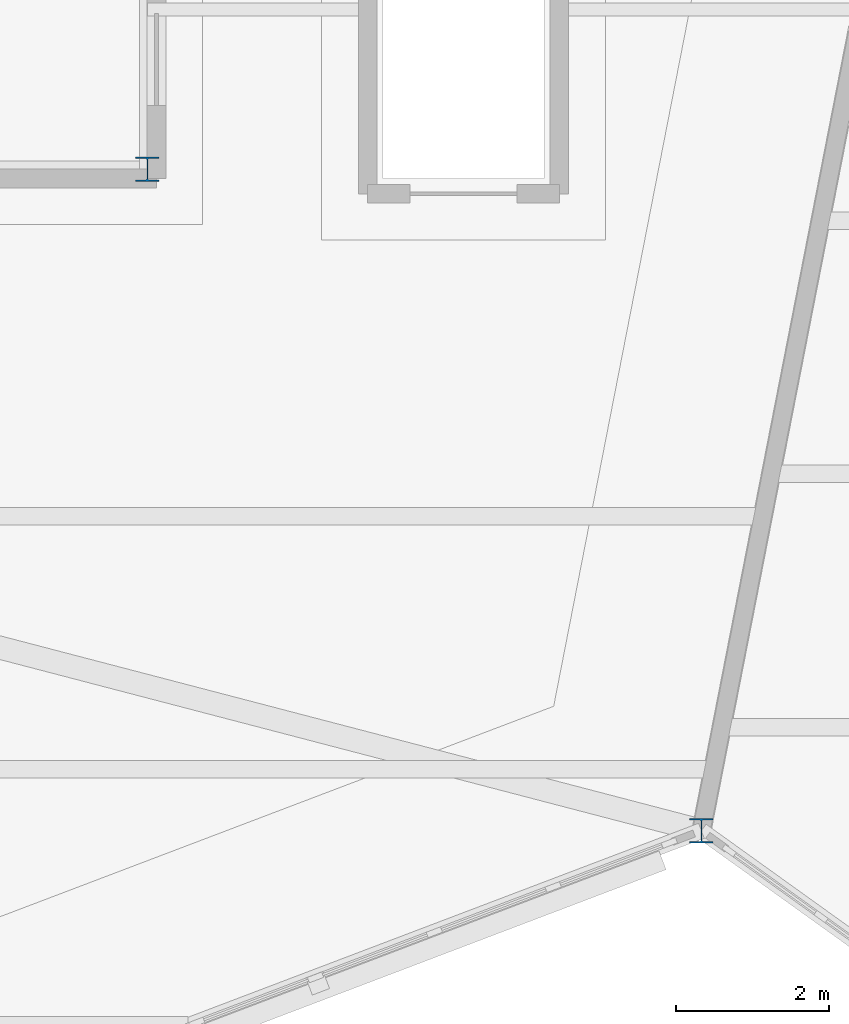
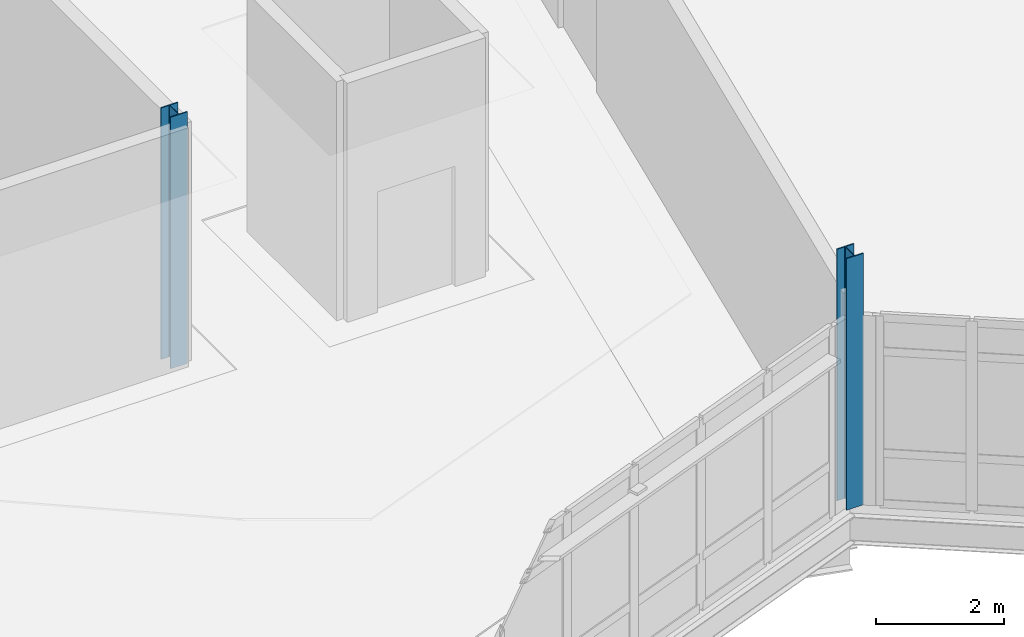
# One storey, part 10 of 134: 2 columns.
"""IFC4 building model written with IfcOpenShell, lengths in metres."""

from ifc_helpers import new_model, si_unit, direction, frame, origin, origin_2d, place, context, subcontext, project, spatial, i_section, extrude, material, material_profile, profile_set, type_object, element, save


model = new_model("IFC4")

# Units and contexts
model_context = context("Model", 3, precision=1e-05, world=origin(), true_north=direction((0.0, 1.0)))
body_context = subcontext(model_context, "Body", "Model", "MODEL_VIEW")
ifc_project = project(units=[si_unit("LENGTHUNIT", "METRE"), si_unit("AREAUNIT", "SQUARE_METRE"), si_unit("VOLUMEUNIT", "CUBIC_METRE"), si_unit("PLANEANGLEUNIT", "RADIAN"), si_unit("MASSUNIT", "GRAM", prefix="KILO")], contexts=[model_context])

# Site, building, storey
site_placement = place(None, origin())
site = spatial("IfcSite", under=ifc_project, at=site_placement, CompositionType="ELEMENT")
building_placement = place(site_placement, origin())
building = spatial("IfcBuilding", under=site, at=building_placement, Name="Tameran Prism Museum", CompositionType="ELEMENT")
storey_placement = place(building_placement, frame((0.0, 0.0, 5.39990234375)))
storey = spatial("IfcBuildingStorey", under=building, at=storey_placement, Name="L01", CompositionType="ELEMENT", Elevation=5.39990234375)

# Columns
ifc_material = material(Name="Steel Grade 300PLUS (300 MPa)", Category="steel")
ifc_material_profile = material_profile(ifc_material, i_section(OverallWidth=0.306884765625, OverallDepth=0.31494140625, WebThickness=0.011962890625, FlangeThickness=0.018798828125, FilletRadius=0.0166015625, at=origin_2d()))
ifc_profile_set = profile_set([ifc_material_profile])
column_type = type_object("IfcColumnType", Name="COL-UC310C", PredefinedType="COLUMN", material=ifc_profile_set)
for number, where, z_axis, x_axis, name in (
    (1, (120.699951171875, 22.300048828125, 0.0), (0.0, 0.0, 1.0), (1.0, 0.0, 0.0), "Column CV-48 L01"),
    (2, (113.47998046875, 30.919921875, 0.0), (0.0, 0.0, 1.0), (1.0, 0.0, 0.0), "Column CC-4-2 L01"),
):
    element("IfcColumn", number, at=place(storey_placement, frame(where, z_axis=z_axis, x_axis=x_axis)), inside=storey, type_object=column_type, Name=name, PredefinedType="COLUMN", context=body_context, shape_type="SweptSolid", body=[
        extrude(i_section(OverallWidth=0.306884765625, OverallDepth=0.31494140625, WebThickness=0.011962890625, FlangeThickness=0.018798828125, FilletRadius=0.0166015625, at=origin_2d()), origin(), (0.0, 0.0, 1.0), 4.800048828125),
    ])

save(model, "model.ifc")
